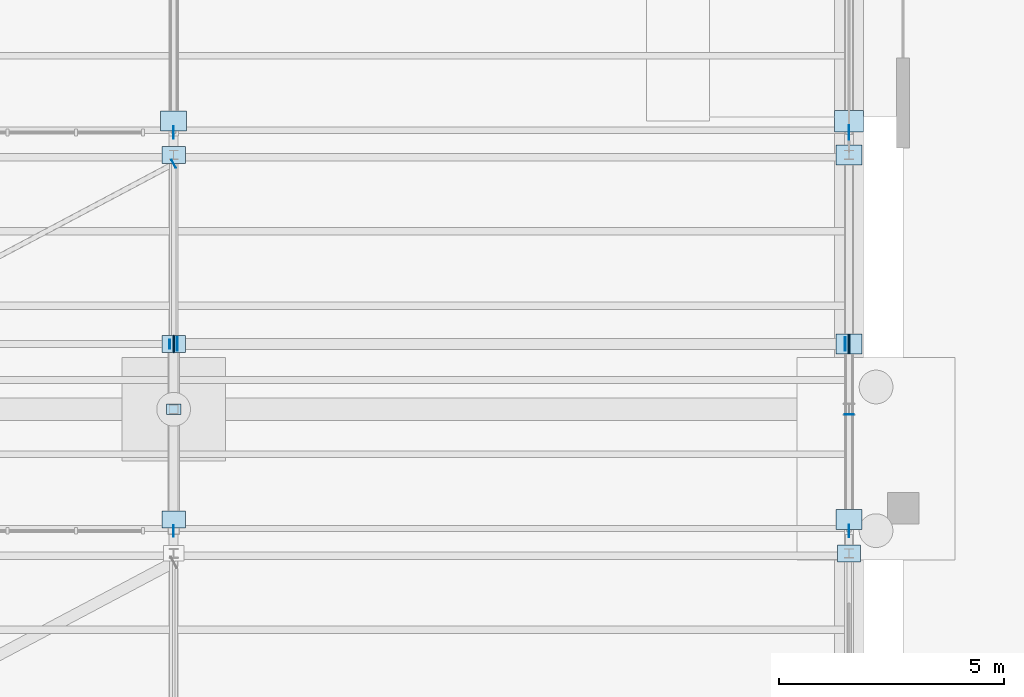
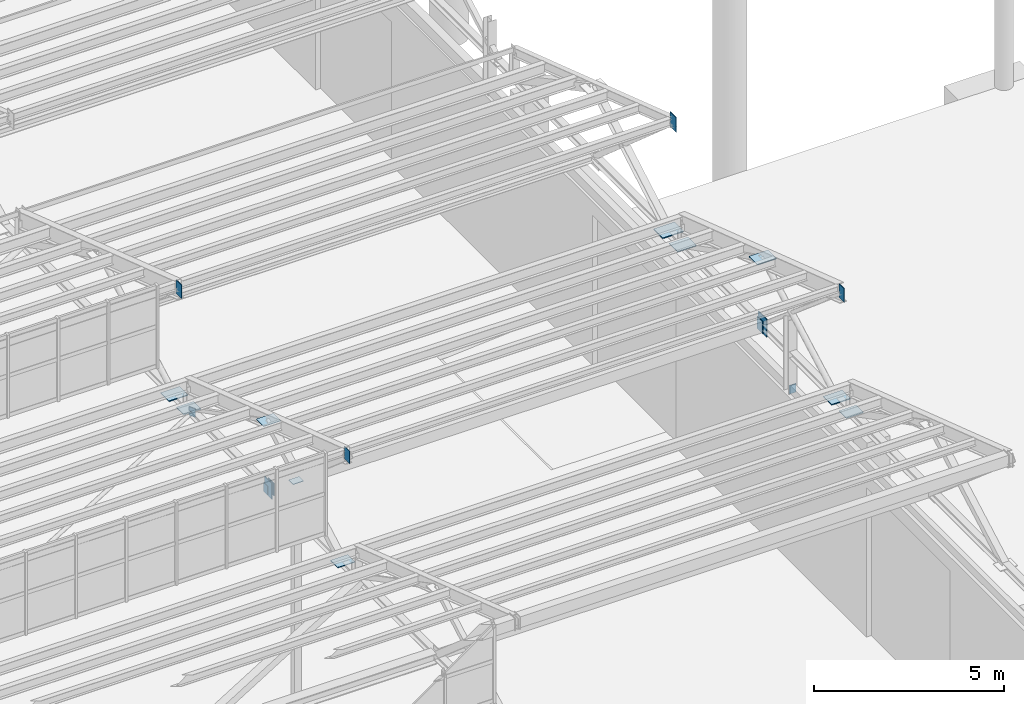
# One storey, part 228 of 285: 21 plates.
"""IFC4 building model written with IfcOpenShell, lengths in metres."""

from ifc_helpers import new_model, si_unit, direction, frame, origin, origin_2d, place, context, subcontext, project, spatial, rectangle, extrude, material, layer, layer_set, type_object, element, save


model = new_model("IFC4")

# Units and contexts
model_context = context("Model", 3, precision=1e-05, world=origin(), true_north=direction((0.0, 1.0)))
body_context = subcontext(model_context, "Body", "Model", "MODEL_VIEW")
ifc_project = project(units=[si_unit("LENGTHUNIT", "METRE"), si_unit("AREAUNIT", "SQUARE_METRE"), si_unit("VOLUMEUNIT", "CUBIC_METRE"), si_unit("PLANEANGLEUNIT", "RADIAN"), si_unit("MASSUNIT", "GRAM", prefix="KILO")], contexts=[model_context])

# Site, building, storey
site_placement = place(None, origin())
site = spatial("IfcSite", under=ifc_project, at=site_placement, CompositionType="ELEMENT")
building_placement = place(site_placement, origin())
building = spatial("IfcBuilding", under=site, at=building_placement, Name="Solanera Park Tramway Depot", CompositionType="ELEMENT")
storey_placement = place(building_placement, origin())
storey = spatial("IfcBuildingStorey", under=building, at=storey_placement, Name="L00", CompositionType="ELEMENT", Elevation=0.0)

# Plates
ifc_material_1 = material(Name="Steel AS/NZS 3679.1 Grade 350", Category="steel")
ifc_layer_1 = layer(ifc_material_1, 0.013916015625)
ifc_layer_set_1 = layer_set([ifc_layer_1], Name="Steel AS/NZS 3679.1 Grade 350")
plate_type_1 = type_object("IfcPlateType", Name="Hollow End Cap and Base Plate 280x200x14", PredefinedType="USERDEFINED", material=ifc_layer_set_1)
for number, where, z_axis, x_axis, name in (
    (1, (150.0, 84.883056640625, 5.23486328125), (0.0, 0.0, 1.0), (0.0, 1.0, 0.0), "Hollow Section Welded End Cap Plate #0071"),
    (2, (134.9150390625, 86.449951171875, 6.35986328125), (0.0, 0.0, 1.0), (1.0, 0.0, 0.0), "Hollow Section Welded End Cap Plate #0421"),
    (3, (135.000732421875, 90.451416015625, 6.35986328125), (0.0, 0.0, 1.0), (0.883520501477, 0.468392488698, 0.0), "Hollow Section Welded End Cap Plate #0423"),
):
    element("IfcPlate", number, at=place(storey_placement, frame(where, z_axis=z_axis, x_axis=x_axis)), inside=storey, type_object=plate_type_1, Name=name, ObjectType="BASE PLATE", PredefinedType="USERDEFINED", context=body_context, shape_type="SweptSolid", body=[
        extrude(rectangle(XDim=0.013916015625, YDim=0.199951171875, at=origin_2d()), origin(), (0.0, 0.0, 1.0), 0.280029296875),
    ])
ifc_material_2 = material(Name="Steel AS/NZS 3679.1 Grade 350", Category="steel")
ifc_layer_2 = layer(ifc_material_2, 0.01611328125)
ifc_layer_set_2 = layer_set([ifc_layer_2], Name="Steel AS/NZS 3679.1 Grade 350")
plate_type_2 = type_object("IfcPlateType", Name="Hollow End Cap and Base Plate 320x240x16", PredefinedType="USERDEFINED", material=ifc_layer_set_2)
plate_1_placement = place(storey_placement, frame((135.0, 85.0, 7.595947265625), z_axis=(0.0, 0.0, 1.0), x_axis=(1.0, 0.0, 0.0)))
element("IfcPlate", 4, at=plate_1_placement, inside=storey, type_object=plate_type_2, Name="Hollow Column Sealed Cap Plate #0017", ObjectType="BASE PLATE", PredefinedType="USERDEFINED", context=body_context, shape_type="SweptSolid", body=[
    extrude(rectangle(XDim=0.320068359375, YDim=0.239990234375, at=origin_2d()), origin(), (0.0, 0.0, 1.0), 0.01611328125),
])
ifc_material_3 = material(Name="Steel AS/NZS 3679.1 Grade 350", Category="steel")
ifc_layer_3 = layer(ifc_material_3, 0.02001953125)
ifc_layer_set_3 = layer_set([ifc_layer_3], Name="Steel AS/NZS 3679.1 Grade 350")
plate_type_3 = type_object("IfcPlateType", Name="Hollow End Cap and Base Plate 400x300x20", PredefinedType="USERDEFINED", material=ifc_layer_set_3)
for number, where, z_axis, x_axis, name in (
    (5, (135.08203125, 86.449951171875, 6.300048828125), (0.0, 0.0, 1.0), (1.0, 0.0, 0.0), "Hollow Section Welded End Cap Plate #0424"),
    (6, (149.91796875, 86.449951171875, 6.300048828125), (0.0, 0.0, 1.0), (1.0, 0.0, 0.0), "Hollow Section Welded End Cap Plate #0425"),
):
    element("IfcPlate", number, at=place(storey_placement, frame(where, z_axis=z_axis, x_axis=x_axis)), inside=storey, type_object=plate_type_3, Name=name, ObjectType="BASE PLATE", PredefinedType="USERDEFINED", context=body_context, shape_type="SweptSolid", body=[
        extrude(rectangle(XDim=0.02001953125, YDim=0.300048828125, at=origin_2d()), origin(), (0.0, 0.0, 1.0), 0.39990234375),
    ])
ifc_material_4 = material(Name="Steel AS/NZS 3679.1 Grade 350", Category="steel")
ifc_layer_4 = layer(ifc_material_4, 0.02490234375)
ifc_layer_set_4 = layer_set([ifc_layer_4], Name="Steel AS/NZS 3679.1 Grade 350")
plate_type_4 = type_object("IfcPlateType", Name="Hollow End Cap and Base Plate 520x380x25", PredefinedType="USERDEFINED", material=ifc_layer_set_4)
plate_2_placement = place(storey_placement, frame((150.0, 81.800048828125, 6.487548828125), z_axis=(0.0, 0.0, 1.0), x_axis=(1.0, 0.0, 0.0)))
element("IfcPlate", 7, at=plate_2_placement, inside=storey, type_object=plate_type_4, Name="Sawtooth Truss Node Cap Plate #0318", ObjectType="BASE PLATE", PredefinedType="USERDEFINED", context=body_context, shape_type="SweptSolid", body=[
    extrude(rectangle(XDim=0.52001953125, YDim=0.3798828125, at=origin_2d()), origin(), (0.0, 0.0, 1.0), 0.02490234375),
])
plate_3_placement = place(storey_placement, frame((135.0, 86.449951171875, 6.239990234375), z_axis=(0.0, 0.0, 1.0), x_axis=(1.0, 0.0, 0.0)))
element("IfcPlate", 8, at=plate_3_placement, inside=storey, type_object=plate_type_4, Name="Sawtooth Truss Hollow End Cap #0401", ObjectType="BASE PLATE", PredefinedType="USERDEFINED", context=body_context, shape_type="SweptSolid", body=[
    extrude(rectangle(XDim=0.02490234375, YDim=0.3798828125, at=origin_2d()), origin(), (0.0, 0.0, 1.0), 0.52001953125),
])
for number, where, z_axis, x_axis, name in (
    (9, (135.0, 90.64990234375, 6.487548828125), (0.0, 0.0, 1.0), (1.0, 0.0, 0.0), "Sawtooth Truss Node Cap Plate #0402"),
    (10, (135.0, 86.449951171875, 8.655029296875), (0.0, 0.0, 1.0), (1.0, 0.0, 0.0), "Sawtooth Truss Node Cap Plate #0403"),
    (11, (135.0, 82.550048828125, 6.487548828125), (0.0, 0.0, 1.0), (1.0, 0.0, 0.0), "Sawtooth Truss Node Cap Plate #0404"),
):
    element("IfcPlate", number, at=place(storey_placement, frame(where, z_axis=z_axis, x_axis=x_axis)), inside=storey, type_object=plate_type_4, Name=name, ObjectType="BASE PLATE", PredefinedType="USERDEFINED", context=body_context, shape_type="SweptSolid", body=[
        extrude(rectangle(XDim=0.52001953125, YDim=0.3798828125, at=origin_2d()), origin(), (0.0, 0.0, 1.0), 0.02490234375),
    ])
ifc_material_5 = material(Name="Steel AS/NZS 3679.1 Grade 350", Category="steel")
ifc_layer_5 = layer(ifc_material_5, 0.028076171875)
ifc_layer_set_5 = layer_set([ifc_layer_5], Name="Steel AS/NZS 3679.1 Grade 350")
plate_type_5 = type_object("IfcPlateType", Name="Hollow End Cap and Base Plate 580x440x28", PredefinedType="USERDEFINED", material=ifc_layer_set_5)
plate_4_placement = place(storey_placement, frame((150.0, 86.449951171875, 6.2099609375), z_axis=(0.0, 0.0, 1.0), x_axis=(1.0, 0.0, 0.0)))
element("IfcPlate", 12, at=plate_4_placement, inside=storey, type_object=plate_type_5, Name="Sawtooth Truss Hollow End Cap #0406", ObjectType="BASE PLATE", PredefinedType="USERDEFINED", context=body_context, shape_type="SweptSolid", body=[
    extrude(rectangle(XDim=0.028076171875, YDim=0.43994140625, at=origin_2d()), origin(), (0.0, 0.0, 1.0), 0.580078125),
])
for number, where, z_axis, x_axis, name in (
    (13, (150.0, 90.64990234375, 6.48583984375), (0.0, 0.0, 1.0), (1.0, 0.0, 0.0), "Sawtooth Truss Node Cap Plate #0407"),
    (14, (150.0, 86.449951171875, 8.61572265625), (0.0, 0.0, 1.0), (1.0, 0.0, 0.0), "Sawtooth Truss Node Cap Plate #0408"),
    (15, (150.0, 82.550048828125, 6.48583984375), (0.0, 0.0, 1.0), (1.0, 0.0, 0.0), "Sawtooth Truss Node Cap Plate #0409"),
    (16, (135.0, 91.39990234375, 6.48583984375), (0.0, 0.0, 1.0), (1.0, 0.0, 0.0), "Sawtooth Truss Node Cap Plate #0475"),
):
    element("IfcPlate", number, at=place(storey_placement, frame(where, z_axis=z_axis, x_axis=x_axis)), inside=storey, type_object=plate_type_5, Name=name, ObjectType="BASE PLATE", PredefinedType="USERDEFINED", context=body_context, shape_type="SweptSolid", body=[
        extrude(rectangle(XDim=0.580078125, YDim=0.43994140625, at=origin_2d()), origin(), (0.0, 0.0, 1.0), 0.028076171875),
    ])
ifc_material_6 = material(Name="Steel AS/NZS 3679.1 Grade 350", Category="steel")
ifc_layer_6 = layer(ifc_material_6, 0.031982421875)
ifc_layer_set_6 = layer_set([ifc_layer_6], Name="Steel AS/NZS 3679.1 Grade 350")
plate_type_6 = type_object("IfcPlateType", Name="Hollow End Cap and Base Plate 640x480x32", PredefinedType="USERDEFINED", material=ifc_layer_set_6)
plate_5_placement = place(storey_placement, frame((150.0, 91.39990234375, 6.48388671875), z_axis=(0.0, 0.0, 1.0), x_axis=(1.0, 0.0, 0.0)))
element("IfcPlate", 17, at=plate_5_placement, inside=storey, type_object=plate_type_6, Name="Sawtooth Truss Node Cap Plate #0480", ObjectType="BASE PLATE", PredefinedType="USERDEFINED", context=body_context, shape_type="SweptSolid", body=[
    extrude(rectangle(XDim=0.639892578125, YDim=0.47998046875, at=origin_2d()), origin(), (0.0, 0.0, 1.0), 0.031982421875),
])
ifc_material_7 = material(Name="Steel AS/NZS 3679.1 Grade 350", Category="steel")
ifc_layer_7 = layer(ifc_material_7, 0.01611328125)
ifc_layer_set_7 = layer_set([ifc_layer_7], Name="Steel AS/NZS 3679.1 Grade 350")
plate_type_7 = type_object("IfcPlateType", Name="Truss Node Gusset Stiffener 400x260x16", PredefinedType="SHEET", material=ifc_layer_set_7)
plate_6_placement = place(storey_placement, frame((135.0, 82.300048828125, 9.856201171875), z_axis=(0.0, 0.0, 1.0), x_axis=(1.0, 0.0, 0.0)))
element("IfcPlate", 18, at=plate_6_placement, inside=storey, type_object=plate_type_7, Name="Sawtooth Truss Apex Gusset Plate #0400", PredefinedType="SHEET", context=body_context, shape_type="SweptSolid", body=[
    extrude(rectangle(XDim=0.01611328125, YDim=0.260009765625, at=origin_2d()), origin(), (0.0, 0.0, 1.0), 0.39990234375),
])
ifc_material_8 = material(Name="Steel AS/NZS 3679.1 Grade 350", Category="steel")
ifc_layer_8 = layer(ifc_material_8, 0.01611328125)
ifc_layer_set_8 = layer_set([ifc_layer_8], Name="Steel AS/NZS 3679.1 Grade 350")
plate_type_8 = type_object("IfcPlateType", Name="Truss Node Gusset Stiffener 440x280x16", PredefinedType="SHEET", material=ifc_layer_set_8)
for number, where, z_axis, x_axis, name in (
    (19, (150.0, 82.300048828125, 9.79833984375), (0.0, 0.0, 1.0), (1.0, 0.0, 0.0), "Sawtooth Truss Apex Gusset Plate #0405"),
    (20, (135.0, 91.14990234375, 9.79833984375), (0.0, 0.0, 1.0), (1.0, 0.0, 0.0), "Sawtooth Truss Apex Gusset Plate #0471"),
):
    element("IfcPlate", number, at=place(storey_placement, frame(where, z_axis=z_axis, x_axis=x_axis)), inside=storey, type_object=plate_type_8, Name=name, PredefinedType="SHEET", context=body_context, shape_type="SweptSolid", body=[
        extrude(rectangle(XDim=0.01611328125, YDim=0.280029296875, at=origin_2d()), origin(), (0.0, 0.0, 1.0), 0.43994140625),
    ])
ifc_material_9 = material(Name="Steel AS/NZS 3679.1 Grade 350", Category="steel")
ifc_layer_9 = layer(ifc_material_9, 0.01806640625)
ifc_layer_set_9 = layer_set([ifc_layer_9], Name="Steel AS/NZS 3679.1 Grade 350")
plate_type_9 = type_object("IfcPlateType", Name="Truss Node Gusset Stiffener 480x320x18", PredefinedType="SHEET", material=ifc_layer_set_9)
plate_7_placement = place(storey_placement, frame((150.0, 91.14990234375, 9.89111328125), z_axis=(0.0, 0.0, 1.0), x_axis=(1.0, 0.0, 0.0)))
element("IfcPlate", 21, at=plate_7_placement, inside=storey, type_object=plate_type_9, Name="Sawtooth Truss Apex Gusset Plate #0476", PredefinedType="SHEET", context=body_context, shape_type="SweptSolid", body=[
    extrude(rectangle(XDim=0.01806640625, YDim=0.320068359375, at=origin_2d()), origin(), (0.0, 0.0, 1.0), 0.47998046875),
])

save(model, "model.ifc")
